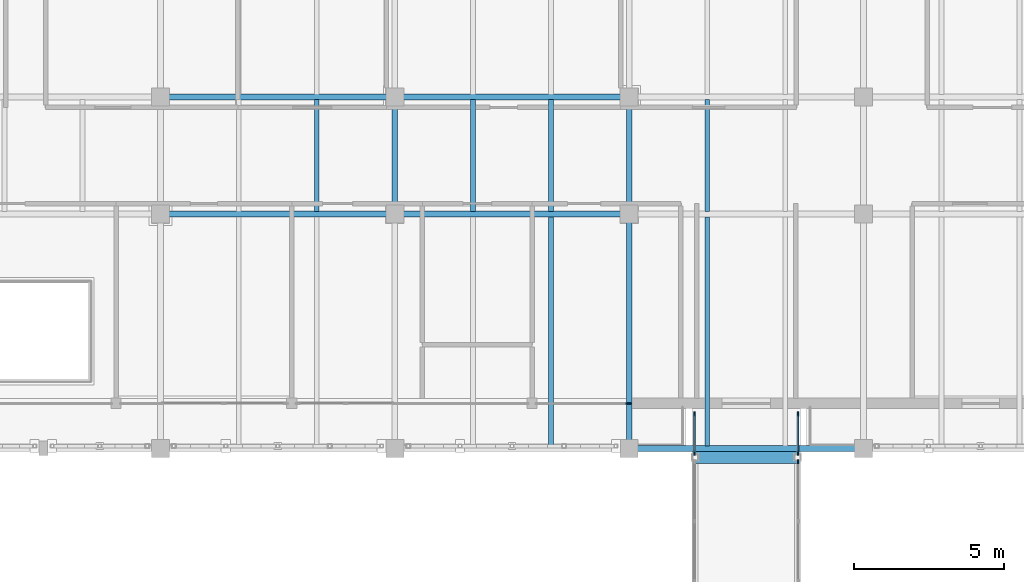
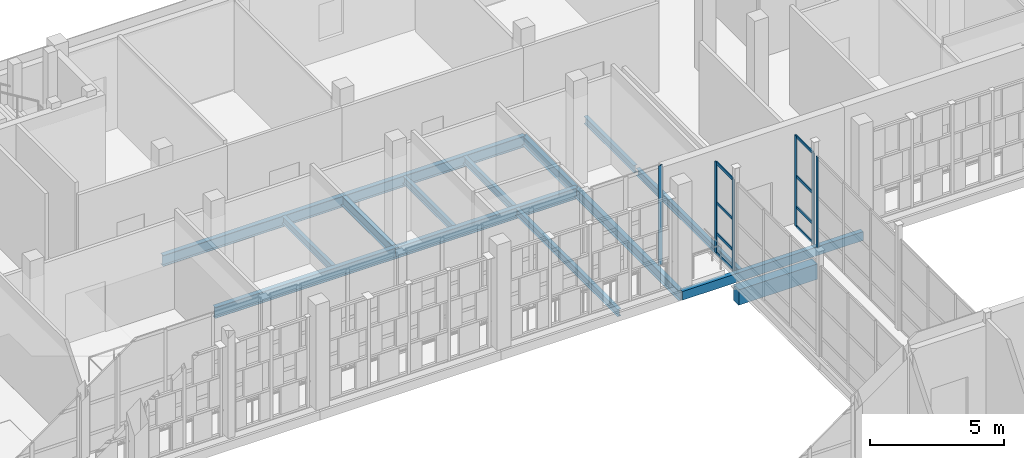
# One storey, part 72 of 138: 15 beams, 14 members, 4 elements without a shape of their own.
"""IFC4 building model written with IfcOpenShell, lengths in metres."""

from ifc_helpers import new_model, si_unit, direction, frame, origin, origin_2d, place, context, subcontext, project, spatial, rectangle, hollow_rectangle, i_section, extrude, material, layer, layer_set, material_profile, profile_set, type_object, element, aggregate, save


model = new_model("IFC4")

# Units and contexts
model_context = context("Model", 3, precision=1e-05, world=origin(), true_north=direction((0.0, 1.0)))
body_context = subcontext(model_context, "Body", "Model", "MODEL_VIEW")
ifc_project = project(units=[si_unit("LENGTHUNIT", "METRE"), si_unit("AREAUNIT", "SQUARE_METRE"), si_unit("VOLUMEUNIT", "CUBIC_METRE"), si_unit("PLANEANGLEUNIT", "RADIAN"), si_unit("MASSUNIT", "GRAM", prefix="KILO")], contexts=[model_context])

# Site, building, storey
site_placement = place(None, origin())
site = spatial("IfcSite", under=ifc_project, at=site_placement, CompositionType="ELEMENT")
building_placement = place(site_placement, origin())
building = spatial("IfcBuilding", under=site, at=building_placement, Name="Celorna Specialist Clinic", CompositionType="ELEMENT")
storey_placement = place(building_placement, frame((0.0, 0.0, 4.800048828125)))
storey = spatial("IfcBuildingStorey", under=building, at=storey_placement, Name="L01", CompositionType="ELEMENT", Elevation=4.800048828125)

# Beams
ifc_material_1 = material(Name="Steel S355", Category="steel")
ifc_material_profile_1 = material_profile(ifc_material_1, i_section(OverallWidth=0.199951171875, OverallDepth=0.5, WebThickness=0.01025390625, FlangeThickness=0.01611328125, at=origin_2d()), Name="IPE 500")
ifc_profile_set_1 = profile_set([ifc_material_profile_1], Name="Steel S355")
beam_type_1 = type_object("IfcBeamType", Name="BM-08", PredefinedType="BEAM", material=ifc_profile_set_1)
beam_1_placement = place(storey_placement, frame((124.800048828125, 104.300048828125, -0.510009765625), z_axis=(1.0, 0.0, 0.0), x_axis=(0.0, 1.0, 0.0)))
element("IfcBeam", 1, at=beam_1_placement, inside=storey, type_object=beam_type_1, Name="Primary girder BM-08 #895", PredefinedType="BEAM", context=body_context, shape_type="SweptSolid", body=[
    extrude(i_section(OverallWidth=0.199951171875, OverallDepth=0.5, WebThickness=0.01025390625, FlangeThickness=0.01611328125, at=origin_2d()), origin(), (0.0, 0.0, 1.0), 7.800048828125),
])
beam_2_placement = place(storey_placement, frame((132.60009765625, 104.300048828125, -0.510009765625), z_axis=(1.0, 0.0, 0.0), x_axis=(0.0, 1.0, 0.0)))
element("IfcBeam", 2, at=beam_2_placement, inside=storey, type_object=beam_type_1, Name="Primary girder BM-08 #896", PredefinedType="BEAM", context=body_context, shape_type="SweptSolid", body=[
    extrude(i_section(OverallWidth=0.199951171875, OverallDepth=0.5, WebThickness=0.01025390625, FlangeThickness=0.01611328125, at=origin_2d()), origin(), (0.0, 0.0, 1.0), 7.7998046875),
])
beam_3_placement = place(storey_placement, frame((124.800048828125, 108.199951171875, -0.510009765625), z_axis=(1.0, 0.0, 0.0), x_axis=(0.0, 1.0, 0.0)))
element("IfcBeam", 3, at=beam_3_placement, inside=storey, type_object=beam_type_1, Name="Primary girder BM-08 #911", PredefinedType="BEAM", context=body_context, shape_type="SweptSolid", body=[
    extrude(i_section(OverallWidth=0.199951171875, OverallDepth=0.5, WebThickness=0.01025390625, FlangeThickness=0.01611328125, at=origin_2d()), origin(), (0.0, 0.0, 1.0), 7.800048828125),
])
beam_4_placement = place(storey_placement, frame((132.60009765625, 108.199951171875, -0.510009765625), z_axis=(1.0, 0.0, 0.0), x_axis=(0.0, 1.0, 0.0)))
element("IfcBeam", 4, at=beam_4_placement, inside=storey, type_object=beam_type_1, Name="Primary girder BM-08 #912", PredefinedType="BEAM", context=body_context, shape_type="SweptSolid", body=[
    extrude(i_section(OverallWidth=0.199951171875, OverallDepth=0.5, WebThickness=0.01025390625, FlangeThickness=0.01611328125, at=origin_2d()), origin(), (0.0, 0.0, 1.0), 7.7998046875),
])
ifc_material_profile_2 = material_profile(ifc_material_1, i_section(OverallWidth=0.18994140625, OverallDepth=0.449951171875, WebThickness=0.009521484375, FlangeThickness=0.0146484375, at=origin_2d()), Name="IPE 450")
ifc_profile_set_2 = profile_set([ifc_material_profile_2], Name="Steel S355")
beam_type_2 = type_object("IfcBeamType", Name="BM-09", PredefinedType="BEAM", material=ifc_profile_set_2)
beam_5_placement = place(storey_placement, frame((132.60009765625, 104.300048828125, -0.485107421875), z_axis=(0.0, 1.0, 0.0), x_axis=(-1.0, 0.0, 0.0)))
element("IfcBeam", 5, at=beam_5_placement, inside=storey, type_object=beam_type_2, Name="Transverse girder BM-09 #966", PredefinedType="BEAM", context=body_context, shape_type="SweptSolid", body=[
    extrude(i_section(OverallWidth=0.18994140625, OverallDepth=0.449951171875, WebThickness=0.009521484375, FlangeThickness=0.0146484375, at=origin_2d()), origin(), (0.0, 0.0, 1.0), 3.89990234375),
])
beam_6_placement = place(storey_placement, frame((140.39990234375, 96.5, -0.485107421875), z_axis=(0.0, 1.0, 0.0), x_axis=(-1.0, 0.0, 0.0)))
element("IfcBeam", 6, at=beam_6_placement, inside=storey, type_object=beam_type_2, Name="Transverse girder BM-09 #968", PredefinedType="BEAM", context=body_context, shape_type="SweptSolid", body=[
    extrude(i_section(OverallWidth=0.18994140625, OverallDepth=0.449951171875, WebThickness=0.009521484375, FlangeThickness=0.0146484375, at=origin_2d()), origin(), (0.0, 0.0, 1.0), 7.800048828125),
])
beam_7_placement = place(storey_placement, frame((140.39990234375, 104.300048828125, -0.485107421875), z_axis=(0.0, 1.0, 0.0), x_axis=(-1.0, 0.0, 0.0)))
element("IfcBeam", 7, at=beam_7_placement, inside=storey, type_object=beam_type_2, Name="Transverse girder BM-09 #969", PredefinedType="BEAM", context=body_context, shape_type="SweptSolid", body=[
    extrude(i_section(OverallWidth=0.18994140625, OverallDepth=0.449951171875, WebThickness=0.009521484375, FlangeThickness=0.0146484375, at=origin_2d()), origin(), (0.0, 0.0, 1.0), 3.89990234375),
])
ifc_material_profile_3 = material_profile(ifc_material_1, i_section(OverallWidth=0.159912109375, OverallDepth=0.330078125, WebThickness=0.007568359375, FlangeThickness=0.011474609375, at=origin_2d()), Name="IPE 330")
ifc_profile_set_3 = profile_set([ifc_material_profile_3], Name="Steel S355")
beam_type_3 = type_object("IfcBeamType", Name="BM-12", PredefinedType="JOIST", material=ifc_profile_set_3)
beam_8_placement = place(storey_placement, frame((130.0, 104.387939453125, -0.425048828125), z_axis=(0.0, 1.0, 0.0), x_axis=(-1.0, 0.0, 0.0)))
element("IfcBeam", 8, at=beam_8_placement, inside=storey, type_object=beam_type_3, Name="Secondary floor joist BM-12 #1036", PredefinedType="JOIST", context=body_context, shape_type="SweptSolid", body=[
    extrude(i_section(OverallWidth=0.159912109375, OverallDepth=0.330078125, WebThickness=0.007568359375, FlangeThickness=0.011474609375, at=origin_2d()), origin(), (0.0, 0.0, 1.0), 3.72412109375),
])
beam_9_placement = place(storey_placement, frame((137.800048828125, 96.587890625, -0.425048828125), z_axis=(0.0, 1.0, 0.0), x_axis=(-1.0, 0.0, 0.0)))
element("IfcBeam", 9, at=beam_9_placement, inside=storey, type_object=beam_type_3, Name="Secondary floor joist BM-12 #1040", PredefinedType="JOIST", context=body_context, shape_type="SweptSolid", body=[
    extrude(i_section(OverallWidth=0.159912109375, OverallDepth=0.330078125, WebThickness=0.007568359375, FlangeThickness=0.011474609375, at=origin_2d()), origin(), (0.0, 0.0, 1.0), 7.6240234375),
])
for number, where, z_axis, x_axis, name in (
    (10, (135.199951171875, 104.387939453125, -0.425048828125), (0.0, 1.0, 0.0), (-1.0, 0.0, 0.0), "Secondary floor joist BM-12 #1041"),
    (11, (137.800048828125, 104.387939453125, -0.425048828125), (0.0, 1.0, 0.0), (-1.0, 0.0, 0.0), "Secondary floor joist BM-12 #1042"),
):
    element("IfcBeam", number, at=place(storey_placement, frame(where, z_axis=z_axis, x_axis=x_axis)), inside=storey, type_object=beam_type_3, Name=name, PredefinedType="JOIST", context=body_context, shape_type="SweptSolid", body=[
        extrude(i_section(OverallWidth=0.159912109375, OverallDepth=0.330078125, WebThickness=0.007568359375, FlangeThickness=0.011474609375, at=origin_2d()), origin(), (0.0, 0.0, 1.0), 3.72412109375),
    ])
beam_10_placement = place(storey_placement, frame((143.0, 96.587890625, -0.425048828125), z_axis=(0.0, 1.0, 0.0), x_axis=(-1.0, 0.0, 0.0)))
element("IfcBeam", 12, at=beam_10_placement, inside=storey, type_object=beam_type_3, Name="Secondary floor joist BM-12 #1045", PredefinedType="JOIST", context=body_context, shape_type="SweptSolid", body=[
    extrude(i_section(OverallWidth=0.159912109375, OverallDepth=0.330078125, WebThickness=0.007568359375, FlangeThickness=0.011474609375, at=origin_2d()), origin(), (0.0, 0.0, 1.0), 7.6240234375),
])
beam_11_placement = place(storey_placement, frame((143.0, 104.387939453125, -0.425048828125), z_axis=(0.0, 1.0, 0.0), x_axis=(-1.0, 0.0, 0.0)))
element("IfcBeam", 13, at=beam_11_placement, inside=storey, type_object=beam_type_3, Name="Secondary floor joist BM-12 #1047", PredefinedType="JOIST", context=body_context, shape_type="SweptSolid", body=[
    extrude(i_section(OverallWidth=0.159912109375, OverallDepth=0.330078125, WebThickness=0.007568359375, FlangeThickness=0.011474609375, at=origin_2d()), origin(), (0.0, 0.0, 1.0), 3.72412109375),
])
ifc_material_profile_4 = material_profile(ifc_material_1, hollow_rectangle(XDim=0.199951171875, YDim=0.39990234375, WallThickness=0.011962890625, at=origin_2d()), Name="RHS 200x400x12")
ifc_profile_set_4 = profile_set([ifc_material_profile_4], Name="Steel S355")
beam_type_4 = type_object("IfcBeamType", Name="BM-15", PredefinedType="SPANDREL", material=ifc_profile_set_4)
beam_12_placement = place(storey_placement, frame((140.39990234375, 96.5, -0.4599609375), z_axis=(1.0, 0.0, 0.0), x_axis=(0.0, 1.0, 0.0)))
element("IfcBeam", 14, at=beam_12_placement, inside=storey, type_object=beam_type_4, Name="Spandrel beam BM-15 #881", PredefinedType="SPANDREL", context=body_context, shape_type="SweptSolid", body=[
    extrude(hollow_rectangle(XDim=0.199951171875, YDim=0.39990234375, WallThickness=0.011962890625, at=origin_2d()), origin(), (0.0, 0.0, 1.0), 7.800048828125),
])
ifc_material_2 = material(Name="Concrete C35/45", Category="concrete")
ifc_material_profile_5 = material_profile(ifc_material_2, rectangle(XDim=0.39990234375, YDim=0.699951171875, at=origin_2d()), Name="RC 400x700")
ifc_profile_set_5 = profile_set([ifc_material_profile_5], Name="Concrete C35/45")
beam_type_5 = type_object("IfcBeamType", Name="BM-19", PredefinedType="BEAM", material=ifc_profile_set_5)
beam_13_placement = place(storey_placement, frame((142.60009765625, 96.199951171875, -1.06494140625), z_axis=(1.0, 0.0, 0.0), x_axis=(0.0, 1.0, 0.0)))
element("IfcBeam", 15, at=beam_13_placement, inside=storey, type_object=beam_type_5, Name="Seismic joint bridge corbel beam BR-05 BM-19 #120", PredefinedType="BEAM", context=body_context, shape_type="SweptSolid", body=[
    extrude(rectangle(XDim=0.39990234375, YDim=0.699951171875, at=origin_2d()), origin(), (0.0, 0.0, 1.0), 3.39990234375),
])

# Curtain wall, member
ifc_material_3 = material(Name="Thermally broken aluminium and solar-control glass curtain wall", Category="aluminium")
ifc_layer_1 = layer(ifc_material_3, 0.159912109375, Name="Thermally broken aluminium and solar-control glass curtain wall")
ifc_layer_set_1 = layer_set([ifc_layer_1], Name="Thermally broken aluminium and solar-control glass curtain wall")
curtain_wall_type_1 = type_object("IfcCurtainWallType", Name="CW-63", PredefinedType="NOTDEFINED", material=ifc_layer_set_1)
curtain_wall_1_placement = place(storey_placement, origin())
curtain_wall_1 = element("IfcCurtainWall", 16, at=curtain_wall_1_placement, inside=storey, type_object=curtain_wall_type_1, Name="Curtain wall CW-63 #117", PredefinedType="NOTDEFINED")
ifc_material_4 = material(Name="Anodized aluminium mullion", Category="aluminium")
ifc_material_profile_6 = material_profile(ifc_material_4, rectangle(XDim=0.050048828125, YDim=0.179931640625, at=origin_2d()), Name="ALU MULLION 50x180")
ifc_profile_set_6 = profile_set([ifc_material_profile_6], Name="Anodized aluminium mullion")
member_type_1 = type_object("IfcMemberType", Name="ML-02", PredefinedType="MULLION", material=ifc_profile_set_6)
member_1_placement = place(storey_placement, frame((140.37109375, 98.0, 0.0), z_axis=(0.0, 0.0, 1.0), x_axis=(0.0, -1.0, 0.0)))
member_1 = element("IfcMember", 17, at=member_1_placement, type_object=member_type_1, Name="CW-63 mullion 1", PredefinedType="MULLION", context=body_context, shape_type="SweptSolid", body=[
    extrude(rectangle(XDim=0.050048828125, YDim=0.179931640625, at=origin_2d()), origin(), (0.0, 0.0, 1.0), 4.5400390625),
])
aggregate(curtain_wall_1, [member_1])

# Curtain wall, members
ifc_layer_2 = layer(ifc_material_3, 0.159912109375, Name="Thermally broken aluminium and solar-control glass curtain wall")
ifc_layer_set_2 = layer_set([ifc_layer_2], Name="Thermally broken aluminium and solar-control glass curtain wall")
curtain_wall_type_2 = type_object("IfcCurtainWallType", Name="CW-115", PredefinedType="NOTDEFINED", material=ifc_layer_set_2)
curtain_wall_2_placement = place(storey_placement, origin())
curtain_wall_2 = element("IfcCurtainWall", 18, at=curtain_wall_2_placement, inside=storey, type_object=curtain_wall_type_2, Name="Curtain wall CW-115 #222", PredefinedType="NOTDEFINED")
ifc_material_profile_7 = material_profile(ifc_material_4, rectangle(XDim=0.050048828125, YDim=0.139892578125, at=origin_2d()), Name="ALU MULLION 50x140")
ifc_profile_set_7 = profile_set([ifc_material_profile_7], Name="Anodized aluminium mullion")
member_type_2 = type_object("IfcMemberType", Name="ML-03", PredefinedType="MULLION", material=ifc_profile_set_7)
member_2_placement = place(storey_placement, frame((142.580078125, 96.344970703125, 0.0), z_axis=(0.0, 0.0, 1.0), x_axis=(-1.0, 0.0, 0.0)))
member_2 = element("IfcMember", 19, at=member_2_placement, type_object=member_type_2, Name="CW-115 mullion 1", PredefinedType="MULLION", context=body_context, shape_type="SweptSolid", body=[
    extrude(rectangle(XDim=0.050048828125, YDim=0.139892578125, at=origin_2d()), origin(), (0.0, 0.0, 1.0), 4.1298828125),
])
member_3_placement = place(storey_placement, frame((142.580078125, 97.64501953125, 0.0), z_axis=(0.0, 0.0, 1.0), x_axis=(-1.0, 0.0, 0.0)))
member_3 = element("IfcMember", 20, at=member_3_placement, type_object=member_type_2, Name="CW-115 mullion 2", PredefinedType="MULLION", context=body_context, shape_type="SweptSolid", body=[
    extrude(rectangle(XDim=0.050048828125, YDim=0.139892578125, at=origin_2d()), origin(), (0.0, 0.0, 1.0), 4.1298828125),
])

curtain_wall_3_placement = place(storey_placement, origin())
curtain_wall_3 = element("IfcCurtainWall", 21, at=curtain_wall_3_placement, inside=storey, type_object=curtain_wall_type_2, Name="Curtain wall CW-115 #223", PredefinedType="NOTDEFINED")
member_4_placement = place(storey_placement, frame((146.02001953125, 97.64501953125, 0.0), z_axis=(0.0, 0.0, 1.0), x_axis=(1.0, 0.0, 0.0)))
member_4 = element("IfcMember", 22, at=member_4_placement, type_object=member_type_2, Name="CW-115 mullion 1", PredefinedType="MULLION", context=body_context, shape_type="SweptSolid", body=[
    extrude(rectangle(XDim=0.050048828125, YDim=0.139892578125, at=origin_2d()), origin(), (0.0, 0.0, 1.0), 4.1298828125),
])
member_5_placement = place(storey_placement, frame((146.02001953125, 96.344970703125, 0.0), z_axis=(0.0, 0.0, 1.0), x_axis=(1.0, 0.0, 0.0)))
member_5 = element("IfcMember", 23, at=member_5_placement, type_object=member_type_2, Name="CW-115 mullion 2", PredefinedType="MULLION", context=body_context, shape_type="SweptSolid", body=[
    extrude(rectangle(XDim=0.050048828125, YDim=0.139892578125, at=origin_2d()), origin(), (0.0, 0.0, 1.0), 4.1298828125),
])

# Curtain wall, member
ifc_layer_3 = layer(ifc_material_3, 0.159912109375, Name="Thermally broken aluminium and solar-control glass curtain wall")
ifc_layer_set_3 = layer_set([ifc_layer_3], Name="Thermally broken aluminium and solar-control glass curtain wall")
curtain_wall_type_3 = type_object("IfcCurtainWallType", Name="CW-117", PredefinedType="NOTDEFINED", material=ifc_layer_set_3)
curtain_wall_4_placement = place(storey_placement, origin())
curtain_wall_4 = element("IfcCurtainWall", 24, at=curtain_wall_4_placement, inside=storey, type_object=curtain_wall_type_3, Name="Curtain wall CW-117 #224", PredefinedType="NOTDEFINED")
member_6_placement = place(storey_placement, frame((146.02001953125, 96.054931640625, 0.0), z_axis=(0.0, 0.0, 1.0), x_axis=(1.0, 0.0, 0.0)))
member_6 = element("IfcMember", 25, at=member_6_placement, type_object=member_type_2, Name="CW-117 mullion 1", PredefinedType="MULLION", context=body_context, shape_type="SweptSolid", body=[
    extrude(rectangle(XDim=0.050048828125, YDim=0.139892578125, at=origin_2d()), origin(), (0.0, 0.0, 1.0), 4.1298828125),
])
aggregate(curtain_wall_4, [member_6])

# Member
ifc_material_5 = material(Name="Anodized aluminium transom", Category="aluminium")
ifc_material_profile_8 = material_profile(ifc_material_5, rectangle(XDim=0.050048828125, YDim=0.1298828125, at=origin_2d()), Name="ALU TRANSOM 50x130")
ifc_profile_set_8 = profile_set([ifc_material_profile_8], Name="Anodized aluminium transom")
member_type_3 = type_object("IfcMemberType", Name="TR-01", PredefinedType="USERDEFINED", material=ifc_profile_set_8)
member_7_placement = place(storey_placement, frame((142.580078125, 96.3701171875, 0.02490234375), z_axis=(0.0, 1.0, 0.0), x_axis=(-1.0, 0.0, 0.0)))
member_7 = element("IfcMember", 26, at=member_7_placement, type_object=member_type_3, Name="CW-115 transom 1.1", ObjectType="TRANSOM", PredefinedType="USERDEFINED", context=body_context, shape_type="SweptSolid", body=[
    extrude(rectangle(XDim=0.050048828125, YDim=0.1298828125, at=origin_2d()), origin(), (0.0, 0.0, 1.0), 1.25),
])

member_8_placement = place(storey_placement, frame((142.580078125, 96.3701171875, 0.89990234375), z_axis=(0.0, 1.0, 0.0), x_axis=(-1.0, 0.0, 0.0)))
member_8 = element("IfcMember", 27, at=member_8_placement, type_object=member_type_3, Name="CW-115 transom 1.2", ObjectType="TRANSOM", PredefinedType="USERDEFINED", context=body_context, shape_type="SweptSolid", body=[
    extrude(rectangle(XDim=0.050048828125, YDim=0.1298828125, at=origin_2d()), origin(), (0.0, 0.0, 1.0), 1.25),
])

member_9_placement = place(storey_placement, frame((142.580078125, 96.3701171875, 2.300048828125), z_axis=(0.0, 1.0, 0.0), x_axis=(-1.0, 0.0, 0.0)))
member_9 = element("IfcMember", 28, at=member_9_placement, type_object=member_type_3, Name="CW-115 transom 1.3", ObjectType="TRANSOM", PredefinedType="USERDEFINED", context=body_context, shape_type="SweptSolid", body=[
    extrude(rectangle(XDim=0.050048828125, YDim=0.1298828125, at=origin_2d()), origin(), (0.0, 0.0, 1.0), 1.25),
])

member_10_placement = place(storey_placement, frame((142.580078125, 96.3701171875, 4.10498046875), z_axis=(0.0, 1.0, 0.0), x_axis=(-1.0, 0.0, 0.0)))
member_10 = element("IfcMember", 29, at=member_10_placement, type_object=member_type_3, Name="CW-115 transom 1.4", ObjectType="TRANSOM", PredefinedType="USERDEFINED", context=body_context, shape_type="SweptSolid", body=[
    extrude(rectangle(XDim=0.050048828125, YDim=0.1298828125, at=origin_2d()), origin(), (0.0, 0.0, 1.0), 1.25),
])

aggregate(curtain_wall_2, [member_2, member_3, member_7, member_8, member_9, member_10])

member_11_placement = place(storey_placement, frame((146.02001953125, 97.6201171875, 0.02490234375), z_axis=(0.0, -1.0, 0.0), x_axis=(1.0, 0.0, 0.0)))
member_11 = element("IfcMember", 30, at=member_11_placement, type_object=member_type_3, Name="CW-115 transom 1.1", ObjectType="TRANSOM", PredefinedType="USERDEFINED", context=body_context, shape_type="SweptSolid", body=[
    extrude(rectangle(XDim=0.050048828125, YDim=0.1298828125, at=origin_2d()), origin(), (0.0, 0.0, 1.0), 1.25),
])

member_12_placement = place(storey_placement, frame((146.02001953125, 97.6201171875, 0.89990234375), z_axis=(0.0, -1.0, 0.0), x_axis=(1.0, 0.0, 0.0)))
member_12 = element("IfcMember", 31, at=member_12_placement, type_object=member_type_3, Name="CW-115 transom 1.2", ObjectType="TRANSOM", PredefinedType="USERDEFINED", context=body_context, shape_type="SweptSolid", body=[
    extrude(rectangle(XDim=0.050048828125, YDim=0.1298828125, at=origin_2d()), origin(), (0.0, 0.0, 1.0), 1.25),
])

member_13_placement = place(storey_placement, frame((146.02001953125, 97.6201171875, 2.300048828125), z_axis=(0.0, -1.0, 0.0), x_axis=(1.0, 0.0, 0.0)))
member_13 = element("IfcMember", 32, at=member_13_placement, type_object=member_type_3, Name="CW-115 transom 1.3", ObjectType="TRANSOM", PredefinedType="USERDEFINED", context=body_context, shape_type="SweptSolid", body=[
    extrude(rectangle(XDim=0.050048828125, YDim=0.1298828125, at=origin_2d()), origin(), (0.0, 0.0, 1.0), 1.25),
])

member_14_placement = place(storey_placement, frame((146.02001953125, 97.6201171875, 4.10498046875), z_axis=(0.0, -1.0, 0.0), x_axis=(1.0, 0.0, 0.0)))
member_14 = element("IfcMember", 33, at=member_14_placement, type_object=member_type_3, Name="CW-115 transom 1.4", ObjectType="TRANSOM", PredefinedType="USERDEFINED", context=body_context, shape_type="SweptSolid", body=[
    extrude(rectangle(XDim=0.050048828125, YDim=0.1298828125, at=origin_2d()), origin(), (0.0, 0.0, 1.0), 1.25),
])

aggregate(curtain_wall_3, [member_4, member_5, member_11, member_12, member_13, member_14])

save(model, "model.ifc")
